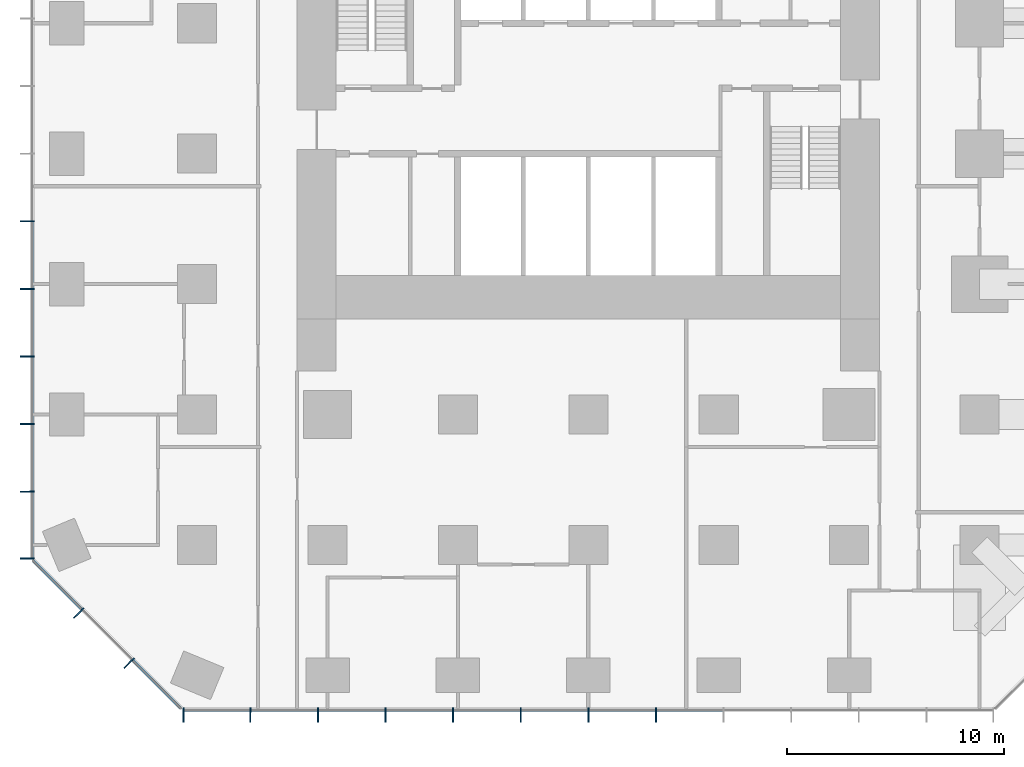
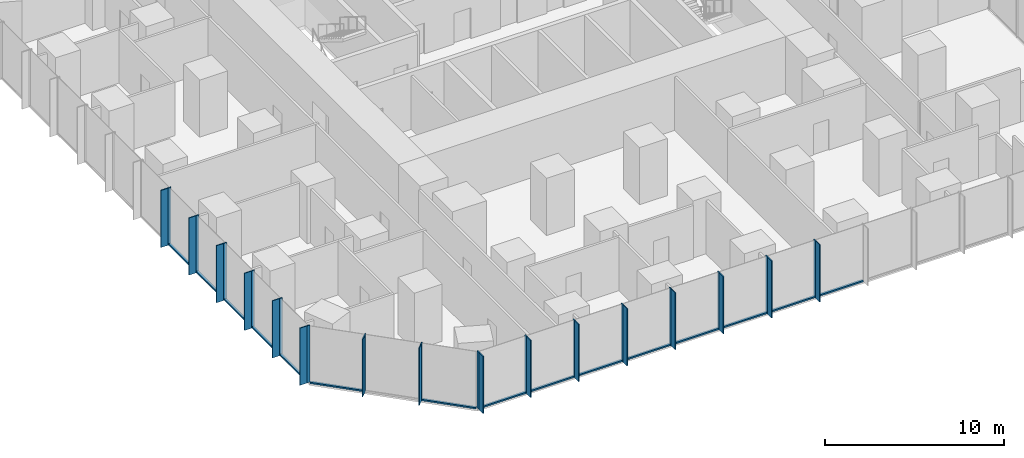
# One storey, part 2 of 12: 47 members, 3 elements without a shape of their own.
"""IFC4 building model written with IfcOpenShell, lengths in metres."""

from ifc_helpers import new_model, si_unit, direction, frame, origin, origin_2d, place, context, subcontext, project, spatial, rectangle, extrude, material, layer, layer_set, material_profile, profile_set, type_object, element, aggregate, save


model = new_model("IFC4")

# Units and contexts
model_context = context("Model", 3, precision=1e-05, world=origin(), true_north=direction((0.0, 1.0)))
body_context = subcontext(model_context, "Body", "Model", "MODEL_VIEW")
ifc_project = project(units=[si_unit("LENGTHUNIT", "METRE"), si_unit("AREAUNIT", "SQUARE_METRE"), si_unit("VOLUMEUNIT", "CUBIC_METRE"), si_unit("PLANEANGLEUNIT", "RADIAN"), si_unit("MASSUNIT", "GRAM", prefix="KILO")], contexts=[model_context])

# Site, building, storey
site_placement = place(None, origin())
site = spatial("IfcSite", under=ifc_project, at=site_placement, CompositionType="ELEMENT")
building_placement = place(site_placement, origin())
building = spatial("IfcBuilding", under=site, at=building_placement, Name="Highveld Stack Headquarters", CompositionType="ELEMENT")
storey_placement = place(building_placement, frame((0.0, 0.0, 53.300048828125)))
storey = spatial("IfcBuildingStorey", under=building, at=storey_placement, Name="L12", CompositionType="ELEMENT", Elevation=53.300048828125)

# Curtain wall, members
ifc_material_1 = material(Name="Aluminium bronze anodised", Category="aluminium")
ifc_layer_1 = layer(ifc_material_1, 0.199951171875)
ifc_layer_set_1 = layer_set([ifc_layer_1], Name="Aluminium bronze anodised")
curtain_wall_type_1 = type_object("IfcCurtainWallType", Name="CW1 TOWER UNITISED CURTAIN WALL", PredefinedType="NOTDEFINED", material=ifc_layer_set_1)
curtain_wall_1_placement = place(storey_placement, origin())
curtain_wall_1 = element("IfcCurtainWall", 1, at=curtain_wall_1_placement, inside=storey, type_object=curtain_wall_type_1, Name="Curtain wall CW1 L12 S", PredefinedType="NOTDEFINED")
ifc_material_2 = material(Name="Aluminium bronze anodised", Category="aluminium")
ifc_material_profile_1 = material_profile(ifc_material_2, rectangle(XDim=0.449951171875, YDim=0.06005859375, at=origin_2d()), Name="FIN 450x60")
ifc_profile_set_1 = profile_set([ifc_material_profile_1], Name="Aluminium bronze anodised")
member_type_1 = type_object("IfcMemberType", Name="CW1 BRONZE FIN 450x60", PredefinedType="USERDEFINED", material=ifc_profile_set_1)
member_1_placement = place(storey_placement, frame((-12.630126953125, -25.925048828125, 0.0), z_axis=(0.0, 0.0, 1.0), x_axis=(0.0, 1.0, 0.0)))
member_1 = element("IfcMember", 2, at=member_1_placement, type_object=member_type_1, Name="CW1 fin L12 1", ObjectType="FIN", PredefinedType="USERDEFINED", context=body_context, shape_type="SweptSolid", body=[
    extrude(rectangle(XDim=0.449951171875, YDim=0.06005859375, at=origin_2d()), origin(), (0.0, 0.0, 1.0), 3.89990234375),
])
member_2_placement = place(storey_placement, frame((-9.55224609375, -25.925048828125, 0.0), z_axis=(0.0, 0.0, 1.0), x_axis=(0.0, 1.0, 0.0)))
member_2 = element("IfcMember", 3, at=member_2_placement, type_object=member_type_1, Name="CW1 fin L12 2", ObjectType="FIN", PredefinedType="USERDEFINED", context=body_context, shape_type="SweptSolid", body=[
    extrude(rectangle(XDim=0.449951171875, YDim=0.06005859375, at=origin_2d()), origin(), (0.0, 0.0, 1.0), 3.89990234375),
])
member_3_placement = place(storey_placement, frame((-6.44189453125, -25.925048828125, 0.0), z_axis=(0.0, 0.0, 1.0), x_axis=(0.0, 1.0, 0.0)))
member_3 = element("IfcMember", 4, at=member_3_placement, type_object=member_type_1, Name="CW1 fin L12 3", ObjectType="FIN", PredefinedType="USERDEFINED", context=body_context, shape_type="SweptSolid", body=[
    extrude(rectangle(XDim=0.449951171875, YDim=0.06005859375, at=origin_2d()), origin(), (0.0, 0.0, 1.0), 3.89990234375),
])
member_4_placement = place(storey_placement, frame((-3.331298828125, -25.925048828125, 0.0), z_axis=(0.0, 0.0, 1.0), x_axis=(0.0, 1.0, 0.0)))
member_4 = element("IfcMember", 5, at=member_4_placement, type_object=member_type_1, Name="CW1 fin L12 4", ObjectType="FIN", PredefinedType="USERDEFINED", context=body_context, shape_type="SweptSolid", body=[
    extrude(rectangle(XDim=0.449951171875, YDim=0.06005859375, at=origin_2d()), origin(), (0.0, 0.0, 1.0), 3.89990234375),
])
member_5_placement = place(storey_placement, frame((-0.220947265625, -25.925048828125, 0.0), z_axis=(0.0, 0.0, 1.0), x_axis=(0.0, 1.0, 0.0)))
member_5 = element("IfcMember", 6, at=member_5_placement, type_object=member_type_1, Name="CW1 fin L12 5", ObjectType="FIN", PredefinedType="USERDEFINED", context=body_context, shape_type="SweptSolid", body=[
    extrude(rectangle(XDim=0.449951171875, YDim=0.06005859375, at=origin_2d()), origin(), (0.0, 0.0, 1.0), 3.89990234375),
])
member_6_placement = place(storey_placement, frame((2.8896484375, -25.925048828125, 0.0), z_axis=(0.0, 0.0, 1.0), x_axis=(0.0, 1.0, 0.0)))
member_6 = element("IfcMember", 7, at=member_6_placement, type_object=member_type_1, Name="CW1 fin L12 6", ObjectType="FIN", PredefinedType="USERDEFINED", context=body_context, shape_type="SweptSolid", body=[
    extrude(rectangle(XDim=0.449951171875, YDim=0.06005859375, at=origin_2d()), origin(), (0.0, 0.0, 1.0), 3.89990234375),
])
member_7_placement = place(storey_placement, frame((6.0, -25.925048828125, 0.0), z_axis=(0.0, 0.0, 1.0), x_axis=(0.0, 1.0, 0.0)))
member_7 = element("IfcMember", 8, at=member_7_placement, type_object=member_type_1, Name="CW1 fin L12 7", ObjectType="FIN", PredefinedType="USERDEFINED", context=body_context, shape_type="SweptSolid", body=[
    extrude(rectangle(XDim=0.449951171875, YDim=0.06005859375, at=origin_2d()), origin(), (0.0, 0.0, 1.0), 3.89990234375),
])
member_8_placement = place(storey_placement, frame((9.110595703125, -25.925048828125, 0.0), z_axis=(0.0, 0.0, 1.0), x_axis=(0.0, 1.0, 0.0)))
member_8 = element("IfcMember", 9, at=member_8_placement, type_object=member_type_1, Name="CW1 fin L12 8", ObjectType="FIN", PredefinedType="USERDEFINED", context=body_context, shape_type="SweptSolid", body=[
    extrude(rectangle(XDim=0.449951171875, YDim=0.06005859375, at=origin_2d()), origin(), (0.0, 0.0, 1.0), 3.89990234375),
])

curtain_wall_2_placement = place(storey_placement, origin())
curtain_wall_2 = element("IfcCurtainWall", 10, at=curtain_wall_2_placement, inside=storey, type_object=curtain_wall_type_1, Name="Curtain wall CW1 L12 W", PredefinedType="NOTDEFINED")
member_9_placement = place(storey_placement, frame((-19.925048828125, -3.110595703125, 0.0), z_axis=(0.0, 0.0, 1.0), x_axis=(1.0, 0.0, 0.0)))
member_9 = element("IfcMember", 11, at=member_9_placement, type_object=member_type_1, Name="CW1 fin L12 8", ObjectType="FIN", PredefinedType="USERDEFINED", context=body_context, shape_type="SweptSolid", body=[
    extrude(rectangle(XDim=0.449951171875, YDim=0.06005859375, at=origin_2d()), origin(), (0.0, 0.0, 1.0), 3.89990234375),
])
member_10_placement = place(storey_placement, frame((-19.925048828125, -6.220947265625, 0.0), z_axis=(0.0, 0.0, 1.0), x_axis=(1.0, 0.0, 0.0)))
member_10 = element("IfcMember", 12, at=member_10_placement, type_object=member_type_1, Name="CW1 fin L12 9", ObjectType="FIN", PredefinedType="USERDEFINED", context=body_context, shape_type="SweptSolid", body=[
    extrude(rectangle(XDim=0.449951171875, YDim=0.06005859375, at=origin_2d()), origin(), (0.0, 0.0, 1.0), 3.89990234375),
])
member_11_placement = place(storey_placement, frame((-19.925048828125, -9.331298828125, 0.0), z_axis=(0.0, 0.0, 1.0), x_axis=(1.0, 0.0, 0.0)))
member_11 = element("IfcMember", 13, at=member_11_placement, type_object=member_type_1, Name="CW1 fin L12 10", ObjectType="FIN", PredefinedType="USERDEFINED", context=body_context, shape_type="SweptSolid", body=[
    extrude(rectangle(XDim=0.449951171875, YDim=0.06005859375, at=origin_2d()), origin(), (0.0, 0.0, 1.0), 3.89990234375),
])
member_12_placement = place(storey_placement, frame((-19.925048828125, -12.44189453125, 0.0), z_axis=(0.0, 0.0, 1.0), x_axis=(1.0, 0.0, 0.0)))
member_12 = element("IfcMember", 14, at=member_12_placement, type_object=member_type_1, Name="CW1 fin L12 11", ObjectType="FIN", PredefinedType="USERDEFINED", context=body_context, shape_type="SweptSolid", body=[
    extrude(rectangle(XDim=0.449951171875, YDim=0.06005859375, at=origin_2d()), origin(), (0.0, 0.0, 1.0), 3.89990234375),
])
member_13_placement = place(storey_placement, frame((-19.925048828125, -15.55224609375, 0.0), z_axis=(0.0, 0.0, 1.0), x_axis=(1.0, 0.0, 0.0)))
member_13 = element("IfcMember", 15, at=member_13_placement, type_object=member_type_1, Name="CW1 fin L12 12", ObjectType="FIN", PredefinedType="USERDEFINED", context=body_context, shape_type="SweptSolid", body=[
    extrude(rectangle(XDim=0.449951171875, YDim=0.06005859375, at=origin_2d()), origin(), (0.0, 0.0, 1.0), 3.89990234375),
])
member_14_placement = place(storey_placement, frame((-19.925048828125, -18.630126953125, 0.0), z_axis=(0.0, 0.0, 1.0), x_axis=(1.0, 0.0, 0.0)))
member_14 = element("IfcMember", 16, at=member_14_placement, type_object=member_type_1, Name="CW1 fin L12 13", ObjectType="FIN", PredefinedType="USERDEFINED", context=body_context, shape_type="SweptSolid", body=[
    extrude(rectangle(XDim=0.449951171875, YDim=0.06005859375, at=origin_2d()), origin(), (0.0, 0.0, 1.0), 3.89990234375),
])

# Member
ifc_material_3 = material(Name="Aluminium bronze anodised", Category="aluminium")
ifc_material_profile_2 = material_profile(ifc_material_3, rectangle(XDim=0.199951171875, YDim=0.06494140625, at=origin_2d()), Name="CW1 MULLION 65x200")
ifc_profile_set_2 = profile_set([ifc_material_profile_2], Name="Aluminium bronze anodised")
member_type_2 = type_object("IfcMemberType", Name="CW1 MULLION 65x200", PredefinedType="MULLION", material=ifc_profile_set_2)
member_15_placement = place(storey_placement, frame((-12.630126953125, -25.60009765625, 0.0), z_axis=(0.0, 0.0, 1.0), x_axis=(0.0, 1.0, 0.0)))
member_15 = element("IfcMember", 17, at=member_15_placement, type_object=member_type_2, Name="CW1 mullion L12 1", PredefinedType="MULLION", context=body_context, shape_type="SweptSolid", body=[
    extrude(rectangle(XDim=0.199951171875, YDim=0.06494140625, at=origin_2d()), origin(), (0.0, 0.0, 1.0), 3.89990234375),
])

member_16_placement = place(storey_placement, frame((-9.55224609375, -25.60009765625, 0.0), z_axis=(0.0, 0.0, 1.0), x_axis=(0.0, 1.0, 0.0)))
member_16 = element("IfcMember", 18, at=member_16_placement, type_object=member_type_2, Name="CW1 mullion L12 2", PredefinedType="MULLION", context=body_context, shape_type="SweptSolid", body=[
    extrude(rectangle(XDim=0.199951171875, YDim=0.06494140625, at=origin_2d()), origin(), (0.0, 0.0, 1.0), 3.89990234375),
])

member_17_placement = place(storey_placement, frame((-6.44189453125, -25.60009765625, 0.0), z_axis=(0.0, 0.0, 1.0), x_axis=(0.0, 1.0, 0.0)))
member_17 = element("IfcMember", 19, at=member_17_placement, type_object=member_type_2, Name="CW1 mullion L12 3", PredefinedType="MULLION", context=body_context, shape_type="SweptSolid", body=[
    extrude(rectangle(XDim=0.199951171875, YDim=0.06494140625, at=origin_2d()), origin(), (0.0, 0.0, 1.0), 3.89990234375),
])

member_18_placement = place(storey_placement, frame((-3.331298828125, -25.60009765625, 0.0), z_axis=(0.0, 0.0, 1.0), x_axis=(0.0, 1.0, 0.0)))
member_18 = element("IfcMember", 20, at=member_18_placement, type_object=member_type_2, Name="CW1 mullion L12 4", PredefinedType="MULLION", context=body_context, shape_type="SweptSolid", body=[
    extrude(rectangle(XDim=0.199951171875, YDim=0.06494140625, at=origin_2d()), origin(), (0.0, 0.0, 1.0), 3.89990234375),
])

member_19_placement = place(storey_placement, frame((-0.220947265625, -25.60009765625, 0.0), z_axis=(0.0, 0.0, 1.0), x_axis=(0.0, 1.0, 0.0)))
member_19 = element("IfcMember", 21, at=member_19_placement, type_object=member_type_2, Name="CW1 mullion L12 5", PredefinedType="MULLION", context=body_context, shape_type="SweptSolid", body=[
    extrude(rectangle(XDim=0.199951171875, YDim=0.06494140625, at=origin_2d()), origin(), (0.0, 0.0, 1.0), 3.89990234375),
])

member_20_placement = place(storey_placement, frame((2.8896484375, -25.60009765625, 0.0), z_axis=(0.0, 0.0, 1.0), x_axis=(0.0, 1.0, 0.0)))
member_20 = element("IfcMember", 22, at=member_20_placement, type_object=member_type_2, Name="CW1 mullion L12 6", PredefinedType="MULLION", context=body_context, shape_type="SweptSolid", body=[
    extrude(rectangle(XDim=0.199951171875, YDim=0.06494140625, at=origin_2d()), origin(), (0.0, 0.0, 1.0), 3.89990234375),
])

member_21_placement = place(storey_placement, frame((6.0, -25.60009765625, 0.0), z_axis=(0.0, 0.0, 1.0), x_axis=(0.0, 1.0, 0.0)))
member_21 = element("IfcMember", 23, at=member_21_placement, type_object=member_type_2, Name="CW1 mullion L12 7", PredefinedType="MULLION", context=body_context, shape_type="SweptSolid", body=[
    extrude(rectangle(XDim=0.199951171875, YDim=0.06494140625, at=origin_2d()), origin(), (0.0, 0.0, 1.0), 3.89990234375),
])

member_22_placement = place(storey_placement, frame((9.110595703125, -25.60009765625, 0.0), z_axis=(0.0, 0.0, 1.0), x_axis=(0.0, 1.0, 0.0)))
member_22 = element("IfcMember", 24, at=member_22_placement, type_object=member_type_2, Name="CW1 mullion L12 8", PredefinedType="MULLION", context=body_context, shape_type="SweptSolid", body=[
    extrude(rectangle(XDim=0.199951171875, YDim=0.06494140625, at=origin_2d()), origin(), (0.0, 0.0, 1.0), 3.89990234375),
])

member_23_placement = place(storey_placement, frame((-19.60009765625, -3.110595703125, 0.0), z_axis=(0.0, 0.0, 1.0), x_axis=(1.0, 0.0, 0.0)))
member_23 = element("IfcMember", 25, at=member_23_placement, type_object=member_type_2, Name="CW1 mullion L12 8", PredefinedType="MULLION", context=body_context, shape_type="SweptSolid", body=[
    extrude(rectangle(XDim=0.199951171875, YDim=0.06494140625, at=origin_2d()), origin(), (0.0, 0.0, 1.0), 3.89990234375),
])

member_24_placement = place(storey_placement, frame((-19.60009765625, -6.220947265625, 0.0), z_axis=(0.0, 0.0, 1.0), x_axis=(1.0, 0.0, 0.0)))
member_24 = element("IfcMember", 26, at=member_24_placement, type_object=member_type_2, Name="CW1 mullion L12 9", PredefinedType="MULLION", context=body_context, shape_type="SweptSolid", body=[
    extrude(rectangle(XDim=0.199951171875, YDim=0.06494140625, at=origin_2d()), origin(), (0.0, 0.0, 1.0), 3.89990234375),
])

member_25_placement = place(storey_placement, frame((-19.60009765625, -9.331298828125, 0.0), z_axis=(0.0, 0.0, 1.0), x_axis=(1.0, 0.0, 0.0)))
member_25 = element("IfcMember", 27, at=member_25_placement, type_object=member_type_2, Name="CW1 mullion L12 10", PredefinedType="MULLION", context=body_context, shape_type="SweptSolid", body=[
    extrude(rectangle(XDim=0.199951171875, YDim=0.06494140625, at=origin_2d()), origin(), (0.0, 0.0, 1.0), 3.89990234375),
])

member_26_placement = place(storey_placement, frame((-19.60009765625, -12.44189453125, 0.0), z_axis=(0.0, 0.0, 1.0), x_axis=(1.0, 0.0, 0.0)))
member_26 = element("IfcMember", 28, at=member_26_placement, type_object=member_type_2, Name="CW1 mullion L12 11", PredefinedType="MULLION", context=body_context, shape_type="SweptSolid", body=[
    extrude(rectangle(XDim=0.199951171875, YDim=0.06494140625, at=origin_2d()), origin(), (0.0, 0.0, 1.0), 3.89990234375),
])

member_27_placement = place(storey_placement, frame((-19.60009765625, -15.55224609375, 0.0), z_axis=(0.0, 0.0, 1.0), x_axis=(1.0, 0.0, 0.0)))
member_27 = element("IfcMember", 29, at=member_27_placement, type_object=member_type_2, Name="CW1 mullion L12 12", PredefinedType="MULLION", context=body_context, shape_type="SweptSolid", body=[
    extrude(rectangle(XDim=0.199951171875, YDim=0.06494140625, at=origin_2d()), origin(), (0.0, 0.0, 1.0), 3.89990234375),
])

member_28_placement = place(storey_placement, frame((-19.60009765625, -18.630126953125, 0.0), z_axis=(0.0, 0.0, 1.0), x_axis=(1.0, 0.0, 0.0)))
member_28 = element("IfcMember", 30, at=member_28_placement, type_object=member_type_2, Name="CW1 mullion L12 13", PredefinedType="MULLION", context=body_context, shape_type="SweptSolid", body=[
    extrude(rectangle(XDim=0.199951171875, YDim=0.06494140625, at=origin_2d()), origin(), (0.0, 0.0, 1.0), 3.89990234375),
])

ifc_material_4 = material(Name="Aluminium bronze anodised", Category="aluminium")
ifc_material_profile_3 = material_profile(ifc_material_4, rectangle(XDim=0.14990234375, YDim=0.10009765625, at=origin_2d()), Name="CW1 TRANSOM 150x100")
ifc_profile_set_3 = profile_set([ifc_material_profile_3], Name="Aluminium bronze anodised")
member_type_3 = type_object("IfcMemberType", Name="CW1 STACK TRANSOM 150x100", PredefinedType="USERDEFINED", material=ifc_profile_set_3)
member_29_placement = place(storey_placement, frame((-12.59765625, -25.60009765625, 0.050048828125), z_axis=(1.0, 0.0, 0.0), x_axis=(0.0, 1.0, 0.0)))
member_29 = element("IfcMember", 31, at=member_29_placement, type_object=member_type_3, Name="CW1 transom L12 1.1", ObjectType="TRANSOM", PredefinedType="USERDEFINED", context=body_context, shape_type="SweptSolid", body=[
    extrude(rectangle(XDim=0.14990234375, YDim=0.10009765625, at=origin_2d()), origin(), (0.0, 0.0, 1.0), 3.012939453125),
])

member_30_placement = place(storey_placement, frame((-9.519775390625, -25.60009765625, 0.050048828125), z_axis=(1.0, 0.0, 0.0), x_axis=(0.0, 1.0, 0.0)))
member_30 = element("IfcMember", 32, at=member_30_placement, type_object=member_type_3, Name="CW1 transom L12 2.1", ObjectType="TRANSOM", PredefinedType="USERDEFINED", context=body_context, shape_type="SweptSolid", body=[
    extrude(rectangle(XDim=0.14990234375, YDim=0.10009765625, at=origin_2d()), origin(), (0.0, 0.0, 1.0), 3.04541015625),
])

member_31_placement = place(storey_placement, frame((-6.4091796875, -25.60009765625, 0.050048828125), z_axis=(1.0, 0.0, 0.0), x_axis=(0.0, 1.0, 0.0)))
member_31 = element("IfcMember", 33, at=member_31_placement, type_object=member_type_3, Name="CW1 transom L12 3.1", ObjectType="TRANSOM", PredefinedType="USERDEFINED", context=body_context, shape_type="SweptSolid", body=[
    extrude(rectangle(XDim=0.14990234375, YDim=0.10009765625, at=origin_2d()), origin(), (0.0, 0.0, 1.0), 3.04541015625),
])

member_32_placement = place(storey_placement, frame((-3.298828125, -25.60009765625, 0.050048828125), z_axis=(1.0, 0.0, 0.0), x_axis=(0.0, 1.0, 0.0)))
member_32 = element("IfcMember", 34, at=member_32_placement, type_object=member_type_3, Name="CW1 transom L12 4.1", ObjectType="TRANSOM", PredefinedType="USERDEFINED", context=body_context, shape_type="SweptSolid", body=[
    extrude(rectangle(XDim=0.14990234375, YDim=0.10009765625, at=origin_2d()), origin(), (0.0, 0.0, 1.0), 3.04541015625),
])

member_33_placement = place(storey_placement, frame((-0.1884765625, -25.60009765625, 0.050048828125), z_axis=(1.0, 0.0, 0.0), x_axis=(0.0, 1.0, 0.0)))
member_33 = element("IfcMember", 35, at=member_33_placement, type_object=member_type_3, Name="CW1 transom L12 5.1", ObjectType="TRANSOM", PredefinedType="USERDEFINED", context=body_context, shape_type="SweptSolid", body=[
    extrude(rectangle(XDim=0.14990234375, YDim=0.10009765625, at=origin_2d()), origin(), (0.0, 0.0, 1.0), 3.045654296875),
])

member_34_placement = place(storey_placement, frame((2.922119140625, -25.60009765625, 0.050048828125), z_axis=(1.0, 0.0, 0.0), x_axis=(0.0, 1.0, 0.0)))
member_34 = element("IfcMember", 36, at=member_34_placement, type_object=member_type_3, Name="CW1 transom L12 6.1", ObjectType="TRANSOM", PredefinedType="USERDEFINED", context=body_context, shape_type="SweptSolid", body=[
    extrude(rectangle(XDim=0.14990234375, YDim=0.10009765625, at=origin_2d()), origin(), (0.0, 0.0, 1.0), 3.04541015625),
])

member_35_placement = place(storey_placement, frame((6.032470703125, -25.60009765625, 0.050048828125), z_axis=(1.0, 0.0, 0.0), x_axis=(0.0, 1.0, 0.0)))
member_35 = element("IfcMember", 37, at=member_35_placement, type_object=member_type_3, Name="CW1 transom L12 7.1", ObjectType="TRANSOM", PredefinedType="USERDEFINED", context=body_context, shape_type="SweptSolid", body=[
    extrude(rectangle(XDim=0.14990234375, YDim=0.10009765625, at=origin_2d()), origin(), (0.0, 0.0, 1.0), 3.04541015625),
])

member_36_placement = place(storey_placement, frame((9.14306640625, -25.60009765625, 0.050048828125), z_axis=(1.0, 0.0, 0.0), x_axis=(0.0, 1.0, 0.0)))
member_36 = element("IfcMember", 38, at=member_36_placement, type_object=member_type_3, Name="CW1 transom L12 8.1", ObjectType="TRANSOM", PredefinedType="USERDEFINED", context=body_context, shape_type="SweptSolid", body=[
    extrude(rectangle(XDim=0.14990234375, YDim=0.10009765625, at=origin_2d()), origin(), (0.0, 0.0, 1.0), 3.04541015625),
])

aggregate(curtain_wall_1, [member_15, member_1, member_16, member_2, member_17, member_3, member_18, member_4, member_19, member_5, member_20, member_6, member_21, member_7, member_22, member_8, member_29, member_30, member_31, member_32, member_33, member_34, member_35, member_36])

member_37_placement = place(storey_placement, frame((-19.60009765625, -3.142822265625, 0.050048828125), z_axis=(0.0, -1.0, 0.0), x_axis=(1.0, 0.0, 0.0)))
member_37 = element("IfcMember", 39, at=member_37_placement, type_object=member_type_3, Name="CW1 transom L12 8.1", ObjectType="TRANSOM", PredefinedType="USERDEFINED", context=body_context, shape_type="SweptSolid", body=[
    extrude(rectangle(XDim=0.14990234375, YDim=0.10009765625, at=origin_2d()), origin(), (0.0, 0.0, 1.0), 3.045654296875),
])

member_38_placement = place(storey_placement, frame((-19.60009765625, -6.25341796875, 0.050048828125), z_axis=(0.0, -1.0, 0.0), x_axis=(1.0, 0.0, 0.0)))
member_38 = element("IfcMember", 40, at=member_38_placement, type_object=member_type_3, Name="CW1 transom L12 9.1", ObjectType="TRANSOM", PredefinedType="USERDEFINED", context=body_context, shape_type="SweptSolid", body=[
    extrude(rectangle(XDim=0.14990234375, YDim=0.10009765625, at=origin_2d()), origin(), (0.0, 0.0, 1.0), 3.04541015625),
])

member_39_placement = place(storey_placement, frame((-19.60009765625, -9.36376953125, 0.050048828125), z_axis=(0.0, -1.0, 0.0), x_axis=(1.0, 0.0, 0.0)))
member_39 = element("IfcMember", 41, at=member_39_placement, type_object=member_type_3, Name="CW1 transom L12 10.1", ObjectType="TRANSOM", PredefinedType="USERDEFINED", context=body_context, shape_type="SweptSolid", body=[
    extrude(rectangle(XDim=0.14990234375, YDim=0.10009765625, at=origin_2d()), origin(), (0.0, 0.0, 1.0), 3.04541015625),
])

member_40_placement = place(storey_placement, frame((-19.60009765625, -12.474365234375, 0.050048828125), z_axis=(0.0, -1.0, 0.0), x_axis=(1.0, 0.0, 0.0)))
member_40 = element("IfcMember", 42, at=member_40_placement, type_object=member_type_3, Name="CW1 transom L12 11.1", ObjectType="TRANSOM", PredefinedType="USERDEFINED", context=body_context, shape_type="SweptSolid", body=[
    extrude(rectangle(XDim=0.14990234375, YDim=0.10009765625, at=origin_2d()), origin(), (0.0, 0.0, 1.0), 3.04541015625),
])

member_41_placement = place(storey_placement, frame((-19.60009765625, -15.584716796875, 0.050048828125), z_axis=(0.0, -1.0, 0.0), x_axis=(1.0, 0.0, 0.0)))
member_41 = element("IfcMember", 43, at=member_41_placement, type_object=member_type_3, Name="CW1 transom L12 12.1", ObjectType="TRANSOM", PredefinedType="USERDEFINED", context=body_context, shape_type="SweptSolid", body=[
    extrude(rectangle(XDim=0.14990234375, YDim=0.10009765625, at=origin_2d()), origin(), (0.0, 0.0, 1.0), 3.012939453125),
])

aggregate(curtain_wall_2, [member_23, member_9, member_24, member_10, member_25, member_11, member_26, member_12, member_27, member_13, member_28, member_14, member_37, member_38, member_39, member_40, member_41])

# Curtain wall, members
ifc_material_5 = material(Name="Aluminium bronze anodised", Category="aluminium")
ifc_layer_2 = layer(ifc_material_5, 0.199951171875)
ifc_layer_set_2 = layer_set([ifc_layer_2], Name="Aluminium bronze anodised")
curtain_wall_type_2 = type_object("IfcCurtainWallType", Name="CW2 TOWER CHAMFER UNITISED CURTAIN WALL", PredefinedType="NOTDEFINED", material=ifc_layer_set_2)
curtain_wall_3_placement = place(storey_placement, origin())
curtain_wall_3 = element("IfcCurtainWall", 44, at=curtain_wall_3_placement, inside=storey, type_object=curtain_wall_type_2, Name="Curtain wall CW2 L12 SW", PredefinedType="NOTDEFINED")
ifc_material_6 = material(Name="Aluminium bronze anodised", Category="aluminium")
ifc_material_profile_4 = material_profile(ifc_material_6, rectangle(XDim=0.449951171875, YDim=0.06005859375, at=origin_2d()), Name="FIN 450x60")
ifc_profile_set_4 = profile_set([ifc_material_profile_4], Name="Aluminium bronze anodised")
member_type_4 = type_object("IfcMemberType", Name="CW2 BRONZE FIN 450x60", PredefinedType="USERDEFINED", material=ifc_profile_set_4)
member_42_placement = place(storey_placement, frame((-17.517333984375, -21.204833984375, 0.0), z_axis=(0.0, 0.0, 1.0), x_axis=(0.707106781187, 0.707106781187, 0.0)))
member_42 = element("IfcMember", 45, at=member_42_placement, type_object=member_type_4, Name="CW2 fin L12 1", ObjectType="FIN", PredefinedType="USERDEFINED", context=body_context, shape_type="SweptSolid", body=[
    extrude(rectangle(XDim=0.449951171875, YDim=0.06005859375, at=origin_2d()), origin(), (0.0, 0.0, 1.0), 3.89990234375),
])
member_43_placement = place(storey_placement, frame((-15.204833984375, -23.517333984375, 0.0), z_axis=(0.0, 0.0, 1.0), x_axis=(0.707106781187, 0.707106781187, 0.0)))
member_43 = element("IfcMember", 46, at=member_43_placement, type_object=member_type_4, Name="CW2 fin L12 2", ObjectType="FIN", PredefinedType="USERDEFINED", context=body_context, shape_type="SweptSolid", body=[
    extrude(rectangle(XDim=0.449951171875, YDim=0.06005859375, at=origin_2d()), origin(), (0.0, 0.0, 1.0), 3.89990234375),
])
ifc_material_7 = material(Name="Aluminium bronze anodised", Category="aluminium")
ifc_material_profile_5 = material_profile(ifc_material_7, rectangle(XDim=0.199951171875, YDim=0.06494140625, at=origin_2d()), Name="CW2 MULLION 65x200")
ifc_profile_set_5 = profile_set([ifc_material_profile_5], Name="Aluminium bronze anodised")
member_type_5 = type_object("IfcMemberType", Name="CW2 MULLION 65x200", PredefinedType="MULLION", material=ifc_profile_set_5)
member_44_placement = place(storey_placement, frame((-17.28759765625, -20.97509765625, 0.0), z_axis=(0.0, 0.0, 1.0), x_axis=(0.707106781187, 0.707106781187, 0.0)))
member_44 = element("IfcMember", 47, at=member_44_placement, type_object=member_type_5, Name="CW2 mullion L12 1", PredefinedType="MULLION", context=body_context, shape_type="SweptSolid", body=[
    extrude(rectangle(XDim=0.199951171875, YDim=0.06494140625, at=origin_2d()), origin(), (0.0, 0.0, 1.0), 3.89990234375),
])
member_45_placement = place(storey_placement, frame((-14.97509765625, -23.28759765625, 0.0), z_axis=(0.0, 0.0, 1.0), x_axis=(0.707106781187, 0.707106781187, 0.0)))
member_45 = element("IfcMember", 48, at=member_45_placement, type_object=member_type_5, Name="CW2 mullion L12 2", PredefinedType="MULLION", context=body_context, shape_type="SweptSolid", body=[
    extrude(rectangle(XDim=0.199951171875, YDim=0.06494140625, at=origin_2d()), origin(), (0.0, 0.0, 1.0), 3.89990234375),
])
ifc_material_8 = material(Name="Aluminium bronze anodised", Category="aluminium")
ifc_material_profile_6 = material_profile(ifc_material_8, rectangle(XDim=0.14990234375, YDim=0.10009765625, at=origin_2d()), Name="CW2 TRANSOM 150x100")
ifc_profile_set_6 = profile_set([ifc_material_profile_6], Name="Aluminium bronze anodised")
member_type_6 = type_object("IfcMemberType", Name="CW2 STACK TRANSOM 150x100", PredefinedType="USERDEFINED", material=ifc_profile_set_6)
member_46_placement = place(storey_placement, frame((-19.529296875, -18.7333984375, 0.050048828125), z_axis=(0.707106781187, -0.707106781187, 0.0), x_axis=(0.707106781187, 0.707106781187, 0.0)))
member_46 = element("IfcMember", 49, at=member_46_placement, type_object=member_type_6, Name="CW2 transom L12 1.1", ObjectType="TRANSOM", PredefinedType="USERDEFINED", context=body_context, shape_type="SweptSolid", body=[
    extrude(rectangle(XDim=0.14990234375, YDim=0.10009765625, at=origin_2d()), origin(), (0.0, 0.0, 1.0), 3.1376953125),
])
member_47_placement = place(storey_placement, frame((-14.9521484375, -23.310546875, 0.050048828125), z_axis=(0.707106781187, -0.707106781187, 0.0), x_axis=(0.707106781187, 0.707106781187, 0.0)))
member_47 = element("IfcMember", 50, at=member_47_placement, type_object=member_type_6, Name="CW2 transom L12 3.1", ObjectType="TRANSOM", PredefinedType="USERDEFINED", context=body_context, shape_type="SweptSolid", body=[
    extrude(rectangle(XDim=0.14990234375, YDim=0.10009765625, at=origin_2d()), origin(), (0.0, 0.0, 1.0), 3.1376953125),
])
aggregate(curtain_wall_3, [member_44, member_42, member_45, member_43, member_46, member_47])

save(model, "model.ifc")
